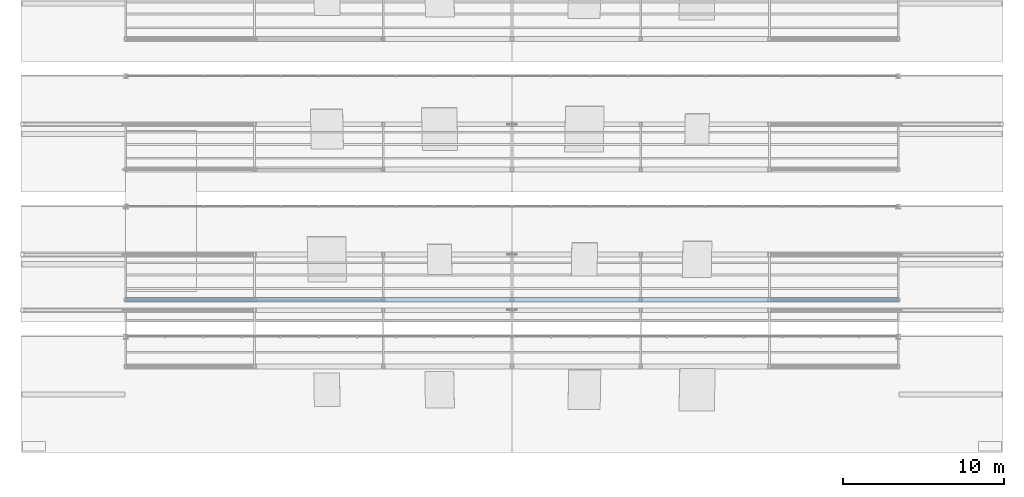
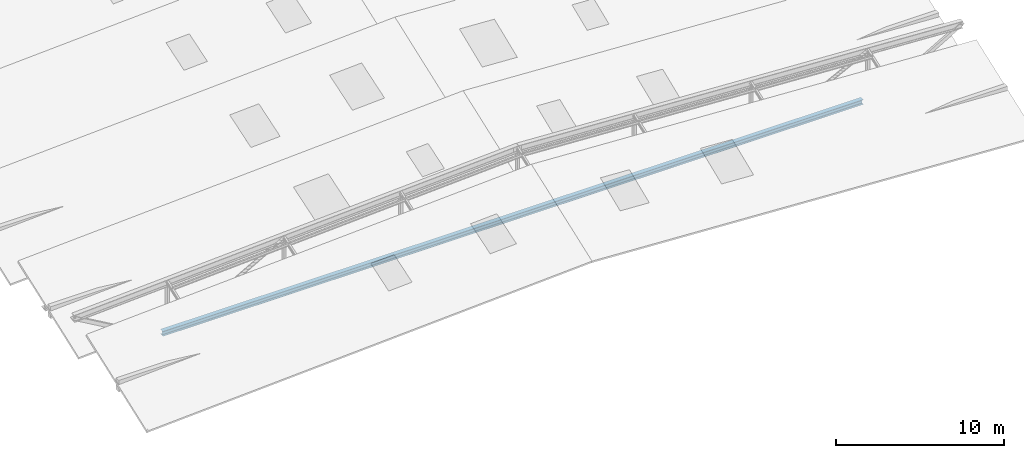
# One storey, part 19 of 141: 1 member.
"""IFC4 building model written with IfcOpenShell, lengths in metres."""

from ifc_helpers import new_model, si_unit, direction, frame, origin, origin_2d, place, context, subcontext, project, spatial, i_section, extrude, material, material_profile, profile_set, type_object, element, save


model = new_model("IFC4")

# Units and contexts
model_context = context("Model", 3, precision=1e-05, world=origin(), true_north=direction((0.0, 1.0)))
body_context = subcontext(model_context, "Body", "Model", "MODEL_VIEW")
ifc_project = project(units=[si_unit("LENGTHUNIT", "METRE"), si_unit("AREAUNIT", "SQUARE_METRE"), si_unit("VOLUMEUNIT", "CUBIC_METRE"), si_unit("PLANEANGLEUNIT", "RADIAN"), si_unit("MASSUNIT", "GRAM", prefix="KILO")], contexts=[model_context])

# Site, building, storey
site_placement = place(None, origin())
site = spatial("IfcSite", under=ifc_project, at=site_placement, CompositionType="ELEMENT")
building_placement = place(site_placement, origin())
building = spatial("IfcBuilding", under=site, at=building_placement, Name="Sundkrona Museum", CompositionType="ELEMENT")
storey_placement = place(building_placement, frame((0.0, 0.0, 34.0)))
storey = spatial("IfcBuildingStorey", under=building, at=storey_placement, Name="RF", CompositionType="ELEMENT", Elevation=34.0)

# Member
ifc_material = material(Name="Steel S355J2", Category="steel")
ifc_material_profile = material_profile(ifc_material, i_section(OverallWidth=0.300048828125, OverallDepth=0.35009765625, WebThickness=0.010009765625, FlangeThickness=0.017578125, FilletRadius=0.027099609375, at=origin_2d()), Name="HEA 360")
ifc_profile_set = profile_set([ifc_material_profile], Name="Steel S355J2")
member_type = type_object("IfcMemberType", Name="TC-HEA360", PredefinedType="CHORD", material=ifc_profile_set)
member_placement = place(storey_placement, frame((120.0, 4.5, -0.25), z_axis=(1.0, 0.0, 0.0), x_axis=(0.0, 1.0, 0.0)))
element("IfcMember", 1, at=member_placement, inside=storey, type_object=member_type, Name="RFS-1 Sawtooth Valley Truss 2 Bottom Chord", PredefinedType="CHORD", context=body_context, shape_type="SweptSolid", body=[
    extrude(i_section(OverallWidth=0.300048828125, OverallDepth=0.35009765625, WebThickness=0.010009765625, FlangeThickness=0.017578125, FilletRadius=0.027099609375, at=origin_2d()), origin(), (0.0, 0.0, 1.0), 48.0),
])

save(model, "model.ifc")
